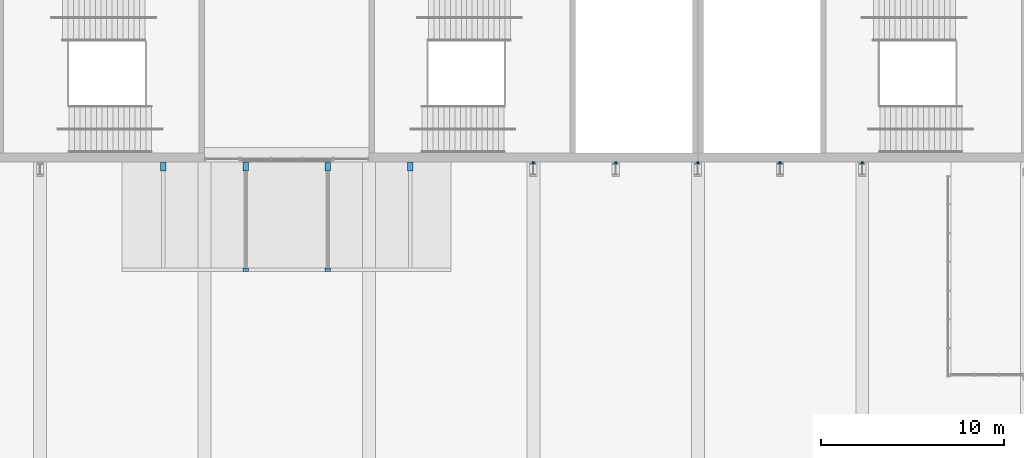
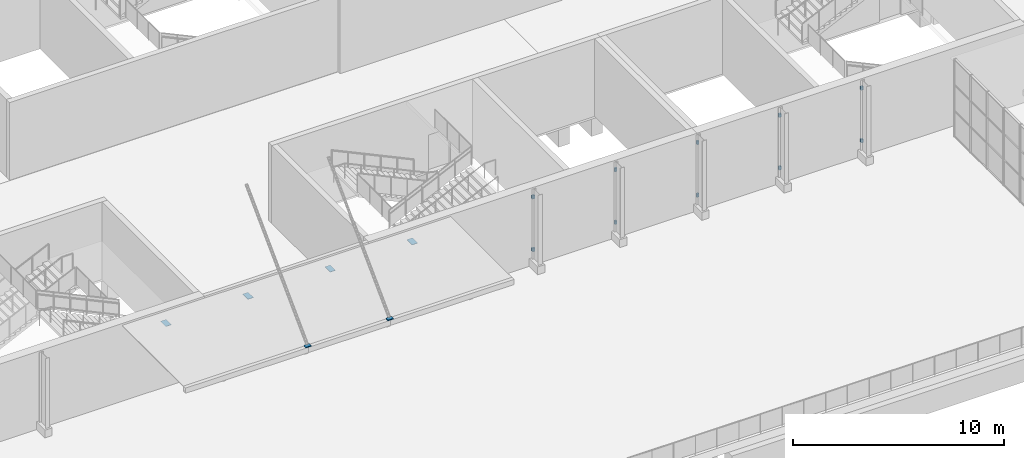
# One storey, part 122 of 168: 16 discrete accessories.
"""IFC4 building model written with IfcOpenShell, lengths in metres."""

from ifc_helpers import new_model, si_unit, direction, frame, origin, origin_2d, place, context, subcontext, project, spatial, rectangle, extrude, material, type_object, element, save


model = new_model("IFC4")

# Units and contexts
model_context = context("Model", 3, precision=1e-05, world=origin(), true_north=direction((0.0, 1.0)))
body_context = subcontext(model_context, "Body", "Model", "MODEL_VIEW")
ifc_project = project(units=[si_unit("LENGTHUNIT", "METRE"), si_unit("AREAUNIT", "SQUARE_METRE"), si_unit("VOLUMEUNIT", "CUBIC_METRE"), si_unit("PLANEANGLEUNIT", "RADIAN"), si_unit("MASSUNIT", "GRAM", prefix="KILO")], contexts=[model_context])

# Site, building, storey
site_placement = place(None, origin())
site = spatial("IfcSite", under=ifc_project, at=site_placement, CompositionType="ELEMENT")
building_placement = place(site_placement, origin())
building = spatial("IfcBuilding", under=site, at=building_placement, Name="Silverbay Arena", CompositionType="ELEMENT")
storey_placement = place(building_placement, frame((0.0, 0.0, 7.0)))
storey = spatial("IfcBuildingStorey", under=building, at=storey_placement, Name="L01", CompositionType="ELEMENT", Elevation=7.0)

# Discrete accessories
ifc_material = material(Name="Steel S355", Category="steel")
discrete_accessory_type = type_object("IfcDiscreteAccessoryType", Name="Steel bracket plate", PredefinedType="BRACKET", material=ifc_material)
for number, where, z_axis, x_axis, name in (
    (1, (69.75, 17.25, 3.8798828125), (0.0, 0.0, 1.0), (1.0, 0.0, 0.0), "Marquee root cleat plate"),
    (2, (74.25, 17.25, 3.8798828125), (0.0, 0.0, 1.0), (1.0, 0.0, 0.0), "Marquee root cleat plate"),
    (3, (78.75, 17.25, 3.8798828125), (0.0, 0.0, 1.0), (1.0, 0.0, 0.0), "Marquee root cleat plate"),
    (4, (83.25, 17.25, 3.8798828125), (0.0, 0.0, 1.0), (1.0, 0.0, 0.0), "Marquee root cleat plate"),
):
    element("IfcDiscreteAccessory", number, at=place(storey_placement, frame(where, z_axis=z_axis, x_axis=x_axis)), inside=storey, type_object=discrete_accessory_type, Name=name, PredefinedType="BRACKET", context=body_context, shape_type="SweptSolid", body=[
        extrude(rectangle(XDim=0.300048828125, YDim=0.5, at=origin_2d()), origin(), (0.0, 0.0, 1.0), 0.02001953125),
    ])
for number, where, z_axis, x_axis, name in (
    (5, (74.25, 11.60009765625, 4.3935546875), (0.0, 0.0, 1.0), (1.0, 0.0, 0.0), "Marquee tie lug plate"),
    (6, (78.75, 11.60009765625, 4.3935546875), (0.0, 0.0, 1.0), (1.0, 0.0, 0.0), "Marquee tie lug plate"),
):
    element("IfcDiscreteAccessory", number, at=place(storey_placement, frame(where, z_axis=z_axis, x_axis=x_axis)), inside=storey, type_object=discrete_accessory_type, Name=name, PredefinedType="BRACKET", context=body_context, shape_type="SweptSolid", body=[
        extrude(rectangle(XDim=0.300048828125, YDim=0.199951171875, at=origin_2d()), origin(), (0.0, 0.0, 1.0), 0.050048828125),
    ])
for number, where, z_axis, x_axis, name in (
    (7, (90.0, 17.449951171875, 0.85009765625), (0.0, 0.0, 1.0), (1.0, 0.0, 0.0), "Fin bracket"),
    (8, (90.0, 17.449951171875, 3.89990234375), (0.0, 0.0, 1.0), (1.0, 0.0, 0.0), "Fin bracket"),
    (9, (94.5, 17.449951171875, 0.85009765625), (0.0, 0.0, 1.0), (1.0, 0.0, 0.0), "Fin bracket"),
    (10, (94.5, 17.449951171875, 3.89990234375), (0.0, 0.0, 1.0), (1.0, 0.0, 0.0), "Fin bracket"),
    (11, (99.0, 17.449951171875, 0.85009765625), (0.0, 0.0, 1.0), (1.0, 0.0, 0.0), "Fin bracket"),
    (12, (99.0, 17.449951171875, 3.89990234375), (0.0, 0.0, 1.0), (1.0, 0.0, 0.0), "Fin bracket"),
    (13, (103.5, 17.449951171875, 0.85009765625), (0.0, 0.0, 1.0), (1.0, 0.0, 0.0), "Fin bracket"),
    (14, (103.5, 17.449951171875, 3.89990234375), (0.0, 0.0, 1.0), (1.0, 0.0, 0.0), "Fin bracket"),
    (15, (108.0, 17.449951171875, 0.85009765625), (0.0, 0.0, 1.0), (1.0, 0.0, 0.0), "Fin bracket"),
    (16, (108.0, 17.449951171875, 3.89990234375), (0.0, 0.0, 1.0), (1.0, 0.0, 0.0), "Fin bracket"),
):
    element("IfcDiscreteAccessory", number, at=place(storey_placement, frame(where, z_axis=z_axis, x_axis=x_axis)), inside=storey, type_object=discrete_accessory_type, Name=name, PredefinedType="BRACKET", context=body_context, shape_type="SweptSolid", body=[
        extrude(rectangle(XDim=0.1201171875, YDim=0.10009765625, at=origin_2d()), origin(), (0.0, 0.0, 1.0), 0.199951171875),
    ])

save(model, "model.ifc")
